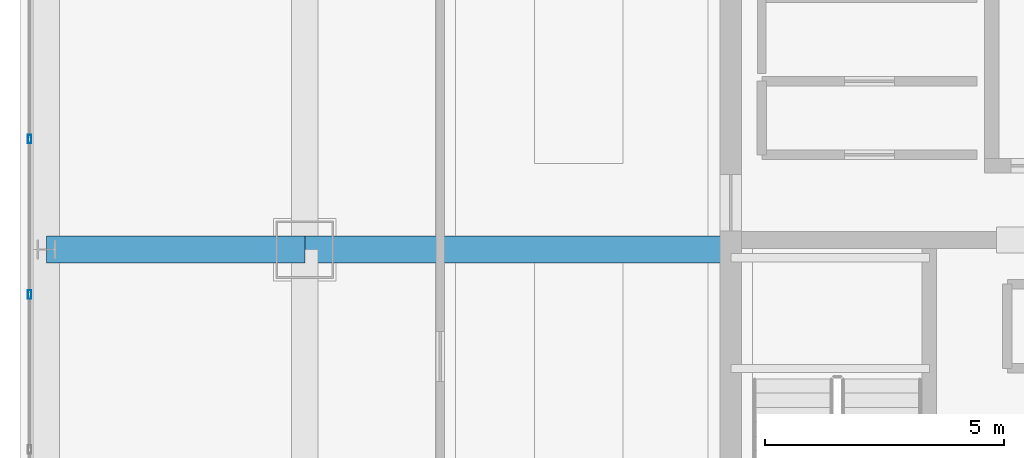
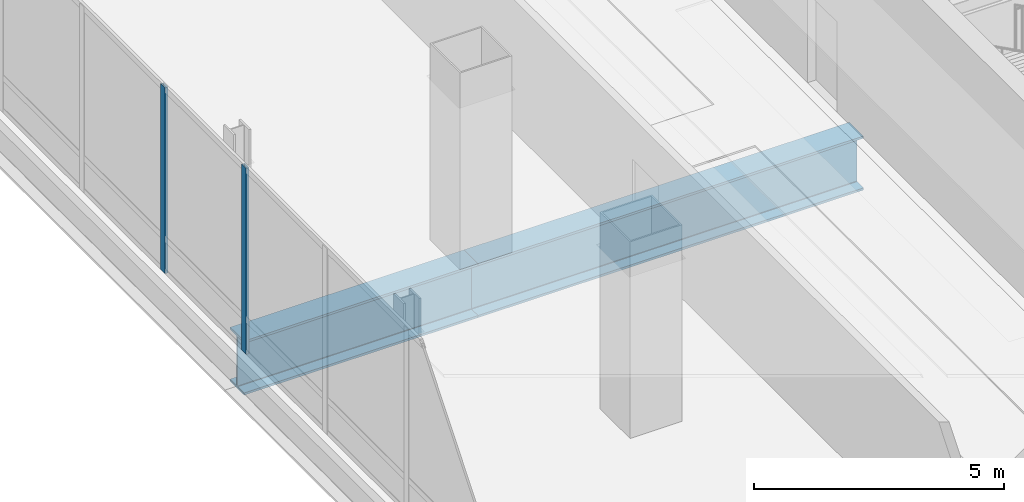
# One storey, part 14 of 44: 2 beams, 2 members, 1 element without a shape of its own.
"""IFC4 building model written with IfcOpenShell, lengths in metres."""

from ifc_helpers import new_model, si_unit, direction, frame, origin, origin_2d, place, context, subcontext, project, spatial, hollow_rectangle, i_section, extrude, material, material_profile, profile_set, type_object, element, aggregate, save


model = new_model("IFC4")

# Units and contexts
model_context = context("Model", 3, precision=1e-05, world=origin(), true_north=direction((0.0, 1.0)))
body_context = subcontext(model_context, "Body", "Model", "MODEL_VIEW")
ifc_project = project(units=[si_unit("LENGTHUNIT", "METRE"), si_unit("AREAUNIT", "SQUARE_METRE"), si_unit("VOLUMEUNIT", "CUBIC_METRE"), si_unit("PLANEANGLEUNIT", "RADIAN"), si_unit("MASSUNIT", "GRAM", prefix="KILO")], contexts=[model_context])

# Site, building, storey
site_placement = place(None, origin())
site = spatial("IfcSite", under=ifc_project, at=site_placement, CompositionType="ELEMENT")
building_placement = place(site_placement, origin())
building = spatial("IfcBuilding", under=site, at=building_placement, Name="Punatoya Terracotta Tower", CompositionType="ELEMENT")
storey_placement = place(building_placement, frame((0.0, 0.0, 334.199951171875)))
storey = spatial("IfcBuildingStorey", under=building, at=storey_placement, Name="L79", CompositionType="ELEMENT", Elevation=334.199951171875)

# Beams
ifc_material_1 = material(Name="Steel S460", Category="steel")
ifc_material_profile_1 = material_profile(ifc_material_1, i_section(OverallWidth=0.56005859375, OverallDepth=1.320068359375, WebThickness=0.035888671875, FlangeThickness=0.054931640625, FilletRadius=0.01806640625, at=origin_2d()))
ifc_profile_set_1 = profile_set([ifc_material_profile_1], Name="Steel S460")
beam_type = type_object("IfcBeamType", Name="BM-TG-BLK", PredefinedType="BEAM", material=ifc_profile_set_1)
beam_1_placement = place(storey_placement, frame((-19.10009765625, 3.39990234375, -0.919921875), z_axis=(1.0, 0.0, 0.0), x_axis=(0.0, 1.0, 0.0)))
element("IfcBeam", 1, at=beam_1_placement, inside=storey, type_object=beam_type, Name="BM-L79-PR-WE", PredefinedType="BEAM", context=body_context, shape_type="SweptSolid", body=[
    extrude(i_section(OverallWidth=0.56005859375, OverallDepth=1.320068359375, WebThickness=0.035888671875, FlangeThickness=0.054931640625, FilletRadius=0.01806640625, at=origin_2d()), origin(), (0.0, 0.0, 1.0), 8.900146484375),
])
beam_2_placement = place(storey_placement, frame((-24.5, 3.39990234375, -0.919921875), z_axis=(1.0, 0.0, 0.0), x_axis=(0.0, 1.0, 0.0)))
element("IfcBeam", 2, at=beam_2_placement, inside=storey, type_object=beam_type, Name="BM-L79-CANT-W3", PredefinedType="BEAM", context=body_context, shape_type="SweptSolid", body=[
    extrude(i_section(OverallWidth=0.56005859375, OverallDepth=1.320068359375, WebThickness=0.035888671875, FlangeThickness=0.054931640625, FilletRadius=0.01806640625, at=origin_2d()), origin(), (0.0, 0.0, 1.0), 5.39990234375),
])

# Curtain wall, members
ifc_material_2 = material(Name="Aluminium 6063-T6 + Double Low-E Glass", Category="aluminium")
curtain_wall_type = type_object("IfcCurtainWallType", Name="CW-OBS", PredefinedType="NOTDEFINED", material=ifc_material_2)
curtain_wall_placement = place(storey_placement, origin())
curtain_wall = element("IfcCurtainWall", 3, at=curtain_wall_placement, inside=storey, type_object=curtain_wall_type, Name="L79 Curtain Wall CW-L79-W18-1", PredefinedType="NOTDEFINED")
ifc_material_3 = material(Name="Aluminium 6063-T6", Category="aluminium")
ifc_material_profile_2 = material_profile(ifc_material_3, hollow_rectangle(XDim=0.070068359375, YDim=0.179931640625, WallThickness=0.00390625, at=origin_2d()))
ifc_profile_set_2 = profile_set([ifc_material_profile_2], Name="Aluminium 6063-T6")
member_type = type_object("IfcMemberType", Name="CW-MUL-M3", PredefinedType="MULLION", material=ifc_profile_set_2)
member_1_placement = place(storey_placement, frame((-24.85009765625, 5.707763671875, 0.0), z_axis=(0.0, 0.0, 1.0), x_axis=(1.0, 0.0, 0.0)))
member_1 = element("IfcMember", 4, at=member_1_placement, type_object=member_type, Name="CW-L79-W18-1 Mullion 03", PredefinedType="MULLION", context=body_context, shape_type="SweptSolid", body=[
    extrude(hollow_rectangle(XDim=0.070068359375, YDim=0.179931640625, WallThickness=0.00390625, at=origin_2d()), origin(), (0.0, 0.0, 1.0), 4.5400390625),
])
member_2_placement = place(storey_placement, frame((-24.85009765625, 2.464599609375, 0.0), z_axis=(0.0, 0.0, 1.0), x_axis=(1.0, 0.0, 0.0)))
member_2 = element("IfcMember", 5, at=member_2_placement, type_object=member_type, Name="CW-L79-W18-1 Mullion 04", PredefinedType="MULLION", context=body_context, shape_type="SweptSolid", body=[
    extrude(hollow_rectangle(XDim=0.070068359375, YDim=0.179931640625, WallThickness=0.00390625, at=origin_2d()), origin(), (0.0, 0.0, 1.0), 4.5400390625),
])
aggregate(curtain_wall, [member_1, member_2])

save(model, "model.ifc")
